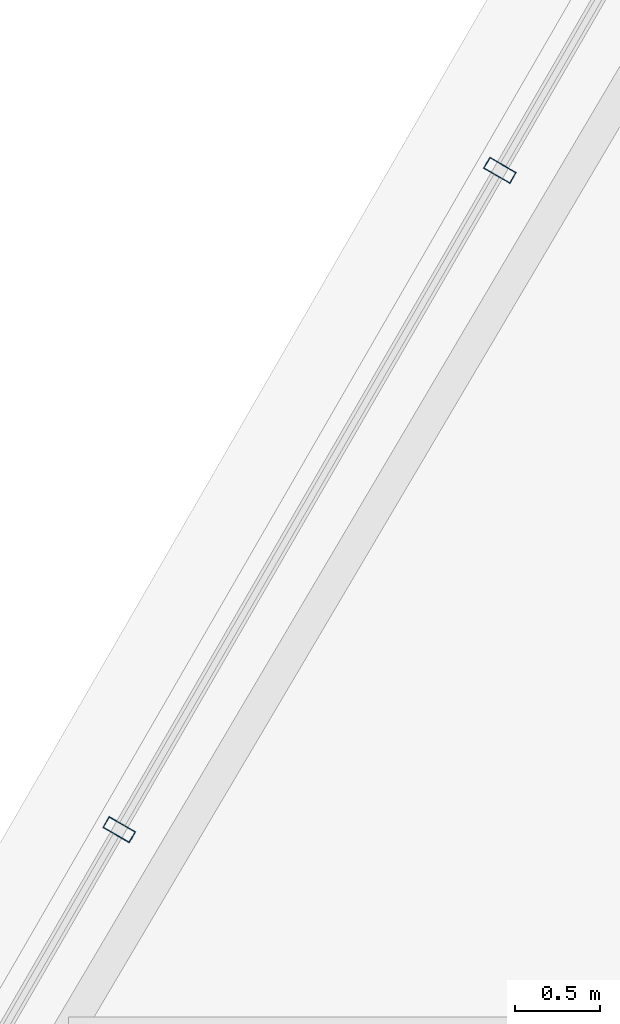
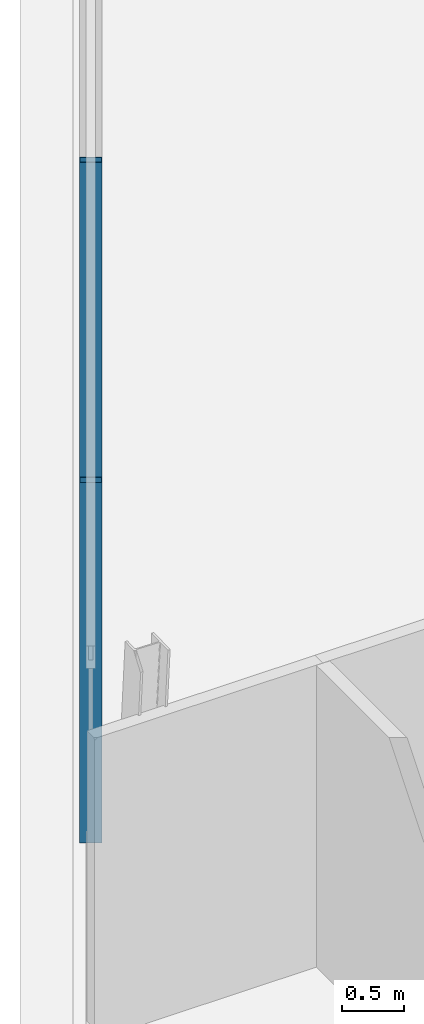
# One storey, part 13 of 32: 2 members, 1 element without a shape of its own.
"""IFC4 building model written with IfcOpenShell, lengths in metres."""

import ifcopenshell
import ifcopenshell.guid

model = None  # the IFC model being written
_history = None  # IfcOwnerHistory: only IFC2X3 demands one
_inside = {}  # id of a spatial element -> (the spatial element, [elements in it])
_under = {}  # id of a project, library or spatial element -> (it, [spatial elements below it])
_declared = {}  # id of a project -> (the project, [libraries it declares])
_typed = {}  # id of a type object -> (the type object, [elements of that type])
_made_of = {}  # id of a material, layer set ... -> (it, [elements and type objects made of it])


def new_model(schema):
    """Start an empty IFC model of exactly this schema.

    Asked for "IFC4X3", IfcOpenShell would pick the latest addendum, in which some entities
    have other attributes; the version numbers below select the first issue.
    IFC2X3 requires an IfcOwnerHistory on every rooted entity: one is made here for all.
    """
    global model, _history
    if schema == "IFC4X3":
        model = ifcopenshell.file(schema_version=(4, 3, 0, 0))
    else:
        model = ifcopenshell.file(schema=schema)
    _inside.clear()
    _under.clear()
    _declared.clear()
    _typed.clear()
    _made_of.clear()
    _history = None
    if model.schema == "IFC2X3":
        org = make("IfcOrganization", Name="unknown")
        user = make(
            "IfcPersonAndOrganization",
            ThePerson=make("IfcPerson", FamilyName="unknown"),
            TheOrganization=org,
        )
        app = make(
            "IfcApplication",
            ApplicationDeveloper=org,
            Version="unknown",
            ApplicationFullName="unknown",
            ApplicationIdentifier="unknown",
        )
        _history = make(
            "IfcOwnerHistory",
            OwningUser=user,
            OwningApplication=app,
            ChangeAction="ADDED",
            CreationDate=0,
        )
    return model


def make(cls, **values):
    """One entity of the class cls with the attributes given. An attribute that is None is left unset."""
    return model.create_entity(
        cls, **{name: value for name, value in values.items() if value is not None}
    )


def rooted(cls, **values):
    """An entity with a GlobalId (a new one), such as an element, a storey or a relation."""
    return make(cls, GlobalId=ifcopenshell.guid.new(), OwnerHistory=_history, **values)


def si_unit(unit_type, name, prefix=None):
    """IfcSIUnit, for example si_unit("LENGTHUNIT", "METRE", prefix="MILLI")."""
    return make("IfcSIUnit", UnitType=unit_type, Prefix=prefix, Name=name)


def assignment(units):
    """IfcUnitAssignment: the units of a project."""
    return None if units is None else make("IfcUnitAssignment", Units=units)


def point(xyz):
    """IfcCartesianPoint."""
    return None if xyz is None else make("IfcCartesianPoint", Coordinates=xyz)


def direction(xyz):
    """IfcDirection."""
    return None if xyz is None else make("IfcDirection", DirectionRatios=xyz)


def frame(location, z_axis=None, x_axis=None):
    """IfcAxis2Placement3D, a coordinate frame: its origin and axes. An axis left out is left unset."""
    return make(
        "IfcAxis2Placement3D",
        Location=point(location),
        Axis=direction(z_axis),
        RefDirection=direction(x_axis),
    )


def frame_2d(location, x_axis=None):
    """IfcAxis2Placement2D, a coordinate frame in the plane: its origin and x axis."""
    return make(
        "IfcAxis2Placement2D", Location=point(location), RefDirection=direction(x_axis)
    )


def origin():
    """The frame at (0, 0, 0) with its axes left unset."""
    return frame((0.0, 0.0, 0.0))


def origin_2d():
    """The frame at (0, 0) in the plane with its x axis left unset."""
    return frame_2d((0.0, 0.0))


def place(relative_to, where):
    """IfcLocalPlacement: puts the frame where relative to a parent placement (None: the world)."""
    return make(
        "IfcLocalPlacement", PlacementRelTo=relative_to, RelativePlacement=where
    )


def context(
    kind, dimensions, precision=None, world=None, true_north=None, identifier=None
):
    """IfcGeometricRepresentationContext, for example the 3D "Model" context."""
    return make(
        "IfcGeometricRepresentationContext",
        ContextIdentifier=identifier,
        ContextType=kind,
        CoordinateSpaceDimension=dimensions,
        Precision=precision,
        WorldCoordinateSystem=world,
        TrueNorth=true_north,
    )


def subcontext(parent, identifier, kind, view, scale=None):
    """IfcGeometricRepresentationSubContext, for example "Body" below "Model"."""
    return make(
        "IfcGeometricRepresentationSubContext",
        ContextIdentifier=identifier,
        ContextType=kind,
        ParentContext=parent,
        TargetScale=scale,
        TargetView=view,
    )


def project(units=None, contexts=None):
    """IfcProject with its units and contexts."""
    return rooted(
        "IfcProject",
        Name="project",
        RepresentationContexts=contexts,
        UnitsInContext=assignment(units),
    )


def spatial(cls, under=None, at=None, **own):
    """A site, building, storey or space (cls), placed at a placement, below another one or the project."""
    s = rooted(cls, ObjectPlacement=at, **own)
    if under is not None:
        _under.setdefault(under.id(), (under, []))[1].append(s)
    return s


def profile(cls, at=None, kind="AREA", **sizes):
    """A parametric profile (cls). Its sizes go by their IFC names, for example OverallWidth=200.0."""
    return make(cls, ProfileType=kind, Position=at, **sizes)


def hollow_rectangle(**sizes):
    """IfcRectangleHollowProfileDef."""
    return profile("IfcRectangleHollowProfileDef", **sizes)


def extrude(swept, where, along, depth):
    """IfcExtrudedAreaSolid: the profile swept, set in the frame where, extruded along a direction by depth."""
    return make(
        "IfcExtrudedAreaSolid",
        SweptArea=swept,
        Position=where,
        ExtrudedDirection=direction(along),
        Depth=depth,
    )


def shape(context_of_items, identifier, shape_type, items):
    """IfcShapeRepresentation: the items that make up one representation, for example the "Body"."""
    return make(
        "IfcShapeRepresentation",
        ContextOfItems=context_of_items,
        RepresentationIdentifier=identifier,
        RepresentationType=shape_type,
        Items=items,
    )


def material(Name=None, Category=None):
    """IfcMaterial."""
    return make("IfcMaterial", Name=Name, Category=Category)


def layer(
    of_material, thickness, ventilated=None, Name=None, Category=None, Priority=None
):
    """IfcMaterialLayer: one layer of a wall or slab, of a material (None: an air gap)."""
    return make(
        "IfcMaterialLayer",
        Material=of_material,
        LayerThickness=thickness,
        IsVentilated=ventilated,
        Name=Name,
        Category=Category,
        Priority=Priority,
    )


def layer_set(layers, Name=None):
    """IfcMaterialLayerSet."""
    return make("IfcMaterialLayerSet", MaterialLayers=layers, LayerSetName=Name)


def material_profile(
    of_material, cross_section, Name=None, Category=None, Priority=None
):
    """IfcMaterialProfile: a cross section and its material."""
    return make(
        "IfcMaterialProfile",
        Name=Name,
        Material=of_material,
        Profile=cross_section,
        Priority=Priority,
        Category=Category,
    )


def profile_set(profiles, Name=None, composite=None):
    """IfcMaterialProfileSet."""
    return make(
        "IfcMaterialProfileSet",
        Name=Name,
        MaterialProfiles=profiles,
        CompositeProfile=composite,
    )


def made_of(thing, what):
    """Note that an element or type object is made of a material, layer set ...; save() writes the relation."""
    if what is not None:
        _made_of.setdefault(what.id(), (what, []))[1].append(thing)
    return thing


def type_object(cls, material=None, **own):
    """A type object (cls), such as IfcWallType, which elements share."""
    return made_of(rooted(cls, **own), material)


def element(
    cls,
    number,
    at=None,
    inside=None,
    cuts=None,
    type_object=None,
    material=None,
    context=None,
    identifier="Body",
    shape_type=None,
    held_by="IfcProductDefinitionShape",
    body=None,
    shapes=None,
    **own,
):
    """One element of the class cls, such as IfcWall. Its Tag is "e" and its number.

    at: its placement. inside: the storey or other place that contains it. cuts: it is an
    opening in that element (IfcRelVoidsElement). A single representation is given by context,
    identifier, shape_type and body (its items); several are given by shapes. held_by: the class
    of the entity that holds the representations. save() writes the other relations.
    """
    e = rooted(cls, Tag="e%d" % number, ObjectPlacement=at, **own)
    if body is not None:
        shapes = [shape(context, identifier, shape_type, body)]
    if shapes is not None:
        e.Representation = make(held_by, Representations=shapes)
    if inside is not None:
        _inside.setdefault(inside.id(), (inside, []))[1].append(e)
    if cuts is not None:
        rooted(
            "IfcRelVoidsElement", RelatingBuildingElement=cuts, RelatedOpeningElement=e
        )
    if type_object is not None:
        _typed.setdefault(type_object.id(), (type_object, []))[1].append(e)
    return made_of(e, material)


def aggregate(whole, parts):
    """IfcRelAggregates: a whole, such as a stair, and the parts it consists of."""
    return rooted("IfcRelAggregates", RelatingObject=whole, RelatedObjects=parts)


def save(model, path):
    """Write the relations noted so far, then the file.

    IfcRelAggregates (storeys below a building ...), IfcRelContainedInSpatialStructure (elements
    in a storey), IfcRelDefinesByType, IfcRelAssociatesMaterial and IfcRelDeclares: one each for
    every whole, place, type object, material and project.
    """
    for whole, parts in _under.values():
        aggregate(whole, parts)
    for where, things in _inside.values():
        rooted(
            "IfcRelContainedInSpatialStructure",
            RelatedElements=things,
            RelatingStructure=where,
        )
    for kind, things in _typed.values():
        rooted("IfcRelDefinesByType", RelatedObjects=things, RelatingType=kind)
    for what, things in _made_of.values():
        rooted("IfcRelAssociatesMaterial", RelatedObjects=things, RelatingMaterial=what)
    for by, libraries in _declared.values():
        rooted("IfcRelDeclares", RelatingContext=by, RelatedDefinitions=libraries)
    model.write(path)


model = new_model("IFC4")

# Units and contexts
model_context = context("Model", 3, precision=1e-05, world=origin(), true_north=direction((0.0, 1.0)))
body_context = subcontext(model_context, "Body", "Model", "MODEL_VIEW")
ifc_project = project(units=[si_unit("LENGTHUNIT", "METRE"), si_unit("AREAUNIT", "SQUARE_METRE"), si_unit("VOLUMEUNIT", "CUBIC_METRE"), si_unit("PLANEANGLEUNIT", "RADIAN"), si_unit("MASSUNIT", "GRAM", prefix="KILO")], contexts=[model_context])

# Site, building, storey
site_placement = place(None, origin())
site = spatial("IfcSite", under=ifc_project, at=site_placement, CompositionType="ELEMENT")
building_placement = place(site_placement, origin())
building = spatial("IfcBuilding", under=site, at=building_placement, Name="Ndaravel Arena Tower", CompositionType="ELEMENT")
storey_placement = place(building_placement, frame((0.0, 0.0, 294.699951171875)))
storey = spatial("IfcBuildingStorey", under=building, at=storey_placement, Name="L72", CompositionType="ELEMENT", Elevation=294.699951171875)

# Curtain wall, members
ifc_material_1 = material(Name="Aluminium", Category="aluminium")
ifc_layer = layer(ifc_material_1, 0.179931640625)
ifc_layer_set = layer_set([ifc_layer], Name="Aluminium")
curtain_wall_type = type_object("IfcCurtainWallType", Name="CW-SYS-03", PredefinedType="NOTDEFINED", material=ifc_layer_set)
curtain_wall_placement = place(storey_placement, origin())
curtain_wall = element("IfcCurtainWall", 1, at=curtain_wall_placement, inside=storey, type_object=curtain_wall_type, Name="L72 Faceted Crystal Curtain Wall CW-L72-E05", PredefinedType="NOTDEFINED")
ifc_material_2 = material(Name="Aluminium", Category="aluminium")
ifc_material_profile = material_profile(ifc_material_2, hollow_rectangle(XDim=0.074951171875, YDim=0.179931640625, WallThickness=0.00390625, at=origin_2d()), Name="CW MULLION 75x180x4")
ifc_profile_set = profile_set([ifc_material_profile], Name="Aluminium")
member_type = type_object("IfcMemberType", Name="MEM-CW-MUL180", PredefinedType="MULLION", material=ifc_profile_set)
member_1_placement = place(storey_placement, frame((33.294189453125, 31.84228515625, 0.0), z_axis=(0.0, 0.0, 1.0), x_axis=(-0.5, -0.866025403784, 0.0)))
member_1 = element("IfcMember", 2, at=member_1_placement, type_object=member_type, Name="CW-L72-E05 Mullion 03", PredefinedType="MULLION", context=body_context, shape_type="SweptSolid", body=[
    extrude(hollow_rectangle(XDim=0.074951171875, YDim=0.179931640625, WallThickness=0.00390625, at=origin_2d()), origin(), (0.0, 0.0, 1.0), 3.52001953125),
])
member_2_placement = place(storey_placement, frame((31.06103515625, 27.974609375, 0.0), z_axis=(0.0, 0.0, 1.0), x_axis=(-0.5, -0.866025403784, 0.0)))
member_2 = element("IfcMember", 3, at=member_2_placement, type_object=member_type, Name="CW-L72-E05 Mullion 04", PredefinedType="MULLION", context=body_context, shape_type="SweptSolid", body=[
    extrude(hollow_rectangle(XDim=0.074951171875, YDim=0.179931640625, WallThickness=0.00390625, at=origin_2d()), origin(), (0.0, 0.0, 1.0), 3.52001953125),
])
aggregate(curtain_wall, [member_1, member_2])

save(model, "model.ifc")
